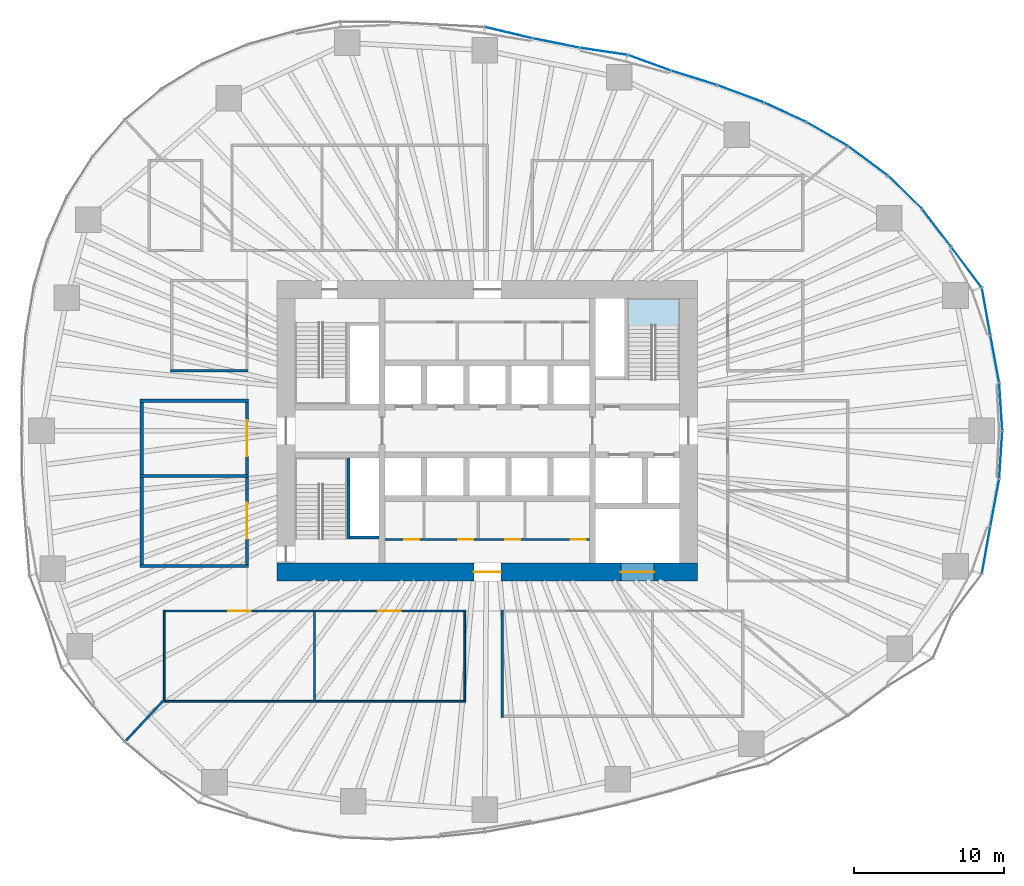
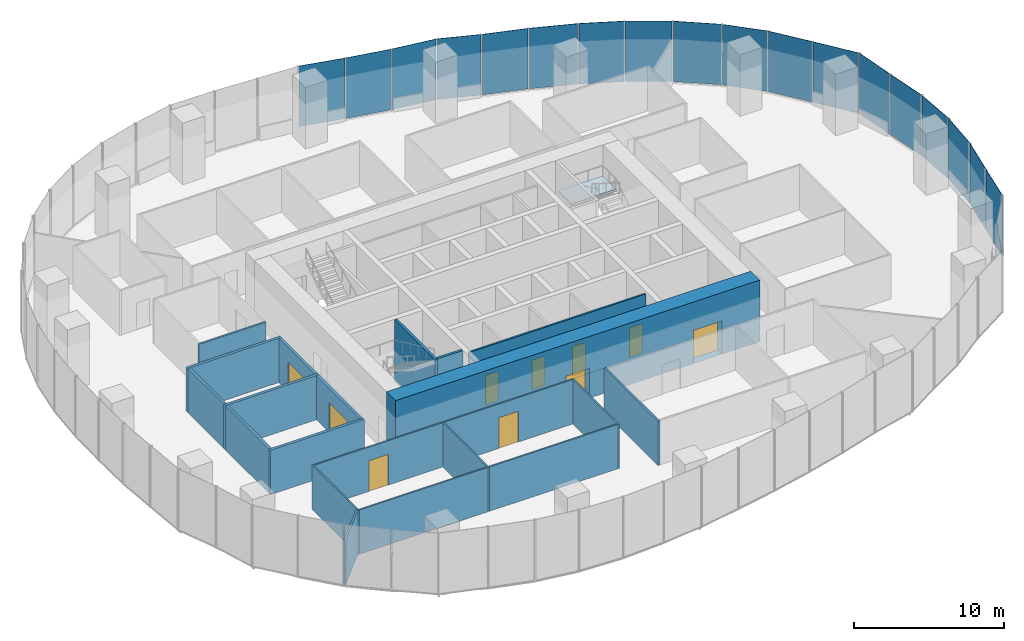
# One storey, part 9 of 20: 21 walls, 18 plates, 10 doors, 1 slab, 10 openings, 7 elements without a shape of their own.
"""IFC4 building model written with IfcOpenShell, lengths in metres."""

from ifc_helpers import new_model, si_unit, direction, frame, frame_2d, origin, origin_2d, place, context, subcontext, project, spatial, polyline, rectangle, outline, extrude, material, layer, layer_set, type_object, element, fill, aggregate, save


model = new_model("IFC4")

# Units and contexts
model_context = context("Model", 3, precision=1e-05, world=origin(), true_north=direction((0.0, 1.0)))
body_context = subcontext(model_context, "Body", "Model", "MODEL_VIEW")
ifc_project = project(units=[si_unit("LENGTHUNIT", "METRE"), si_unit("AREAUNIT", "SQUARE_METRE"), si_unit("VOLUMEUNIT", "CUBIC_METRE"), si_unit("PLANEANGLEUNIT", "RADIAN"), si_unit("MASSUNIT", "GRAM", prefix="KILO")], contexts=[model_context])

# Site, building, storey
site_placement = place(None, origin())
site = spatial("IfcSite", under=ifc_project, at=site_placement, CompositionType="ELEMENT")
building_placement = place(site_placement, origin())
building = spatial("IfcBuilding", under=site, at=building_placement, Name="Ghaith Harvest Tower", CompositionType="ELEMENT")
storey_placement = place(building_placement, frame((0.0, 0.0, 85.0)))
storey = spatial("IfcBuildingStorey", under=building, at=storey_placement, Name="L17", CompositionType="ELEMENT", Elevation=85.0)

# Curtain wall, plates
ifc_material_1 = material(Name="Black anodised aluminium and fritted glass", Category="aluminium")
curtain_wall_type = type_object("IfcCurtainWallType", Name="CW-F CURTAIN WALL", PredefinedType="NOTDEFINED", material=ifc_material_1)
curtain_wall_1_placement = place(storey_placement, origin())
curtain_wall_1 = element("IfcCurtainWall", 1, at=curtain_wall_1_placement, inside=storey, type_object=curtain_wall_type, Name="Curtain wall CW-F bay 01 L17", PredefinedType="NOTDEFINED")
ifc_material_2 = material(Name="Glass, high-transmission fritted double glazed unit", Category="glass")
ifc_layer_1 = layer(ifc_material_2, 0.028076171875)
ifc_layer_set_1 = layer_set([ifc_layer_1], Name="CW-F VISION PANEL")
plate_type = type_object("IfcPlateType", Name="CW-F VISION PANEL", PredefinedType="CURTAIN_PANEL", material=ifc_layer_set_1)
plate_1_placement = place(storey_placement, frame((34.181396484375, 1.602783203125, 0.080078125), z_axis=(0.0, 0.0, 1.0), x_axis=(-0.064445645786, 0.997921218704, 0.0)))
plate_1 = element("IfcPlate", 2, at=plate_1_placement, type_object=plate_type, Name="CW-F panel 1 bay 01 L17", PredefinedType="CURTAIN_PANEL", context=body_context, shape_type="SweptSolid", body=[
    extrude(rectangle(XDim=3.132080078125, YDim=0.028076171875, at=origin_2d()), origin(), (0.0, 0.0, 1.0), 4.919921875),
])
plate_2_placement = place(storey_placement, frame((33.78369140625, 4.78076171875, 0.080078125), z_axis=(0.0, 0.0, 1.0), x_axis=(-0.183569249502, 0.983006780565, 0.0)))
plate_2 = element("IfcPlate", 3, at=plate_2_placement, type_object=plate_type, Name="CW-F panel 2 bay 01 L17", PredefinedType="CURTAIN_PANEL", context=body_context, shape_type="SweptSolid", body=[
    extrude(rectangle(XDim=3.12548828125, YDim=0.028076171875, at=origin_2d()), origin(), (0.0, 0.0, 1.0), 4.919921875),
])
plate_3_placement = place(storey_placement, frame((33.20654296875, 7.93603515625, 0.080078125), z_axis=(0.0, 0.0, 1.0), x_axis=(-0.176319663586, 0.984332960046, 0.0)))
plate_3 = element("IfcPlate", 4, at=plate_3_placement, type_object=plate_type, Name="CW-F panel 3 bay 01 L17", PredefinedType="CURTAIN_PANEL", context=body_context, shape_type="SweptSolid", body=[
    extrude(rectangle(XDim=3.129638671875, YDim=0.028076171875, at=origin_2d()), origin(), (0.0, 0.0, 1.0), 4.919921875),
])
aggregate(curtain_wall_1, [plate_1, plate_2, plate_3])

curtain_wall_2_placement = place(storey_placement, origin())
curtain_wall_2 = element("IfcCurtainWall", 5, at=curtain_wall_2_placement, inside=storey, type_object=curtain_wall_type, Name="Curtain wall CW-F bay 02 L17", PredefinedType="NOTDEFINED")
plate_4_placement = place(storey_placement, frame((31.91015625, 10.865234375, 0.080078125), z_axis=(0.0, 0.0, 1.0), x_axis=(-0.600454091192, 0.799659230154, 0.0)))
plate_4 = element("IfcPlate", 6, at=plate_4_placement, type_object=plate_type, Name="CW-F panel 1 bay 02 L17", PredefinedType="CURTAIN_PANEL", context=body_context, shape_type="SweptSolid", body=[
    extrude(rectangle(XDim=3.295654296875, YDim=0.028076171875, at=origin_2d()), origin(), (0.0, 0.0, 1.0), 4.919921875),
])
plate_5_placement = place(storey_placement, frame((29.921875, 13.4892578125, 0.080078125), z_axis=(0.0, 0.0, 1.0), x_axis=(-0.607611877494, 0.794234100457, 0.0)))
plate_5 = element("IfcPlate", 7, at=plate_5_placement, type_object=plate_type, Name="CW-F panel 2 bay 02 L17", PredefinedType="CURTAIN_PANEL", context=body_context, shape_type="SweptSolid", body=[
    extrude(rectangle(XDim=3.128662109375, YDim=0.028076171875, at=origin_2d()), origin(), (0.0, 0.0, 1.0), 4.919921875),
])
plate_6_placement = place(storey_placement, frame((27.810546875, 15.869384765625, 0.080078125), z_axis=(0.0, 0.0, 1.0), x_axis=(-0.716691335472, 0.69739051446, 0.0)))
plate_6 = element("IfcPlate", 8, at=plate_6_placement, type_object=plate_type, Name="CW-F panel 3 bay 02 L17", PredefinedType="CURTAIN_PANEL", context=body_context, shape_type="SweptSolid", body=[
    extrude(rectangle(XDim=3.092041015625, YDim=0.028076171875, at=origin_2d()), origin(), (0.0, 0.0, 1.0), 4.919921875),
])
aggregate(curtain_wall_2, [plate_4, plate_5, plate_6])

curtain_wall_3_placement = place(storey_placement, origin())
curtain_wall_3 = element("IfcCurtainWall", 9, at=curtain_wall_3_placement, inside=storey, type_object=curtain_wall_type, Name="Curtain wall CW-F bay 03 L17", PredefinedType="NOTDEFINED")
plate_7_placement = place(storey_placement, frame((25.34619140625, 17.96142578125, 0.080078125), z_axis=(0.0, 0.0, 1.0), x_axis=(-0.802866788578, 0.596158468697, 0.0)))
plate_7 = element("IfcPlate", 10, at=plate_7_placement, type_object=plate_type, Name="CW-F panel 1 bay 03 L17", PredefinedType="CURTAIN_PANEL", context=body_context, shape_type="SweptSolid", body=[
    extrude(rectangle(XDim=3.2275390625, YDim=0.028076171875, at=origin_2d()), origin(), (0.0, 0.0, 1.0), 4.919921875),
])
plate_8_placement = place(storey_placement, frame((22.626953125, 19.750244140625, 0.080078125), z_axis=(0.0, 0.0, 1.0), x_axis=(-0.866159208358, 0.499768172033, 0.0)))
plate_8 = element("IfcPlate", 11, at=plate_8_placement, type_object=plate_type, Name="CW-F panel 2 bay 03 L17", PredefinedType="CURTAIN_PANEL", context=body_context, shape_type="SweptSolid", body=[
    extrude(rectangle(XDim=3.1328125, YDim=0.028076171875, at=origin_2d()), origin(), (0.0, 0.0, 1.0), 4.919921875),
])
plate_9_placement = place(storey_placement, frame((19.8291015625, 21.19970703125, 0.080078125), z_axis=(0.0, 0.0, 1.0), x_axis=(-0.908529586897, 0.417820523351, 0.0)))
plate_9 = element("IfcPlate", 12, at=plate_9_placement, type_object=plate_type, Name="CW-F panel 3 bay 03 L17", PredefinedType="CURTAIN_PANEL", context=body_context, shape_type="SweptSolid", body=[
    extrude(rectangle(XDim=3.01611328125, YDim=0.028076171875, at=origin_2d()), origin(), (0.0, 0.0, 1.0), 4.919921875),
])
aggregate(curtain_wall_3, [plate_7, plate_8, plate_9])

curtain_wall_4_placement = place(storey_placement, origin())
curtain_wall_4 = element("IfcCurtainWall", 13, at=curtain_wall_4_placement, inside=storey, type_object=curtain_wall_type, Name="Curtain wall CW-F bay 04 L17", PredefinedType="NOTDEFINED")
plate_10_placement = place(storey_placement, frame((16.85498046875, 22.431396484375, 0.080078125), z_axis=(0.0, 0.0, 1.0), x_axis=(-0.936926487964, 0.349526474178, 0.0)))
plate_10 = element("IfcPlate", 14, at=plate_10_placement, type_object=plate_type, Name="CW-F panel 1 bay 04 L17", PredefinedType="CURTAIN_PANEL", context=body_context, shape_type="SweptSolid", body=[
    extrude(rectangle(XDim=3.26611328125, YDim=0.028076171875, at=origin_2d()), origin(), (0.0, 0.0, 1.0), 4.919921875),
])
plate_11_placement = place(storey_placement, frame((13.760986328125, 23.490234375, 0.080078125), z_axis=(0.0, 0.0, 1.0), x_axis=(-0.954988265421, 0.296643578911, 0.0)))
plate_11 = element("IfcPlate", 15, at=plate_11_placement, type_object=plate_type, Name="CW-F panel 2 bay 04 L17", PredefinedType="CURTAIN_PANEL", context=body_context, shape_type="SweptSolid", body=[
    extrude(rectangle(XDim=3.1171875, YDim=0.028076171875, at=origin_2d()), origin(), (0.0, 0.0, 1.0), 4.919921875),
])
plate_12_placement = place(storey_placement, frame((10.793212890625, 24.490234375, 0.080078125), z_axis=(0.0, 0.0, 1.0), x_axis=(-0.939438435482, 0.342717705902, 0.0)))
plate_12 = element("IfcPlate", 16, at=plate_12_placement, type_object=plate_type, Name="CW-F panel 3 bay 04 L17", PredefinedType="CURTAIN_PANEL", context=body_context, shape_type="SweptSolid", body=[
    extrude(rectangle(XDim=2.98828125, YDim=0.028076171875, at=origin_2d()), origin(), (0.0, 0.0, 1.0), 4.919921875),
])
aggregate(curtain_wall_4, [plate_10, plate_11, plate_12])

curtain_wall_5_placement = place(storey_placement, origin())
curtain_wall_5 = element("IfcCurtainWall", 17, at=curtain_wall_5_placement, inside=storey, type_object=curtain_wall_type, Name="Curtain wall CW-F bay 05 L17", PredefinedType="NOTDEFINED")
plate_13_placement = place(storey_placement, frame((7.744384765625, 25.255615234375, 0.080078125), z_axis=(0.0, 0.0, 1.0), x_axis=(-0.989074249382, 0.147418211935, 0.0)))
plate_13 = element("IfcPlate", 18, at=plate_13_placement, type_object=plate_type, Name="CW-F panel 1 bay 05 L17", PredefinedType="CURTAIN_PANEL", context=body_context, shape_type="SweptSolid", body=[
    extrude(rectangle(XDim=3.17041015625, YDim=0.028076171875, at=origin_2d()), origin(), (0.0, 0.0, 1.0), 4.919921875),
])
plate_14_placement = place(storey_placement, frame((4.5732421875, 25.809326171875, 0.080078125), z_axis=(0.0, 0.0, 1.0), x_axis=(-0.980432348069, 0.196856320344, 0.0)))
plate_14 = element("IfcPlate", 19, at=plate_14_placement, type_object=plate_type, Name="CW-F panel 2 bay 05 L17", PredefinedType="CURTAIN_PANEL", context=body_context, shape_type="SweptSolid", body=[
    extrude(rectangle(XDim=3.1103515625, YDim=0.028076171875, at=origin_2d()), origin(), (0.0, 0.0, 1.0), 4.919921875),
])
plate_15_placement = place(storey_placement, frame((1.41259765625, 26.500244140625, 0.080078125), z_axis=(0.0, 0.0, 1.0), x_axis=(-0.97324595378, 0.229765779545, 0.0)))
plate_15 = element("IfcPlate", 20, at=plate_15_placement, type_object=plate_type, Name="CW-F panel 3 bay 05 L17", PredefinedType="CURTAIN_PANEL", context=body_context, shape_type="SweptSolid", body=[
    extrude(rectangle(XDim=3.200927734375, YDim=0.028076171875, at=origin_2d()), origin(), (0.0, 0.0, 1.0), 4.919921875),
])
aggregate(curtain_wall_5, [plate_13, plate_14, plate_15])

curtain_wall_6_placement = place(storey_placement, origin())
curtain_wall_6 = element("IfcCurtainWall", 21, at=curtain_wall_6_placement, inside=storey, type_object=curtain_wall_type, Name="Curtain wall CW-F bay 20 L17", PredefinedType="NOTDEFINED")
plate_16_placement = place(storey_placement, frame((33.20654296875, -7.93603515625, 0.080078125), z_axis=(0.0, 0.0, 1.0), x_axis=(0.176319663878, 0.984332959994, 0.0)))
plate_16 = element("IfcPlate", 22, at=plate_16_placement, type_object=plate_type, Name="CW-F panel 1 bay 20 L17", PredefinedType="CURTAIN_PANEL", context=body_context, shape_type="SweptSolid", body=[
    extrude(rectangle(XDim=3.129638671875, YDim=0.028076171875, at=origin_2d()), origin(), (0.0, 0.0, 1.0), 4.919921875),
])
plate_17_placement = place(storey_placement, frame((33.78369140625, -4.78076171875, 0.080078125), z_axis=(0.0, 0.0, 1.0), x_axis=(0.183569249777, 0.983006780514, 0.0)))
plate_17 = element("IfcPlate", 23, at=plate_17_placement, type_object=plate_type, Name="CW-F panel 2 bay 20 L17", PredefinedType="CURTAIN_PANEL", context=body_context, shape_type="SweptSolid", body=[
    extrude(rectangle(XDim=3.12548828125, YDim=0.028076171875, at=origin_2d()), origin(), (0.0, 0.0, 1.0), 4.919921875),
])
plate_18_placement = place(storey_placement, frame((34.181396484375, -1.602783203125, 0.080078125), z_axis=(0.0, 0.0, 1.0), x_axis=(0.064445645891, 0.997921218697, 0.0)))
plate_18 = element("IfcPlate", 24, at=plate_18_placement, type_object=plate_type, Name="CW-F panel 3 bay 20 L17", PredefinedType="CURTAIN_PANEL", context=body_context, shape_type="SweptSolid", body=[
    extrude(rectangle(XDim=3.132080078125, YDim=0.028076171875, at=origin_2d()), origin(), (0.0, 0.0, 1.0), 4.919921875),
])
aggregate(curtain_wall_6, [plate_16, plate_17, plate_18])

# Stair, slab
ifc_material_3 = material(Name="Concrete C40/50, precast", Category="concrete")
stair_type = type_object("IfcStairType", Name="CORE STAIR 28R", PredefinedType="HALF_TURN_STAIR", material=ifc_material_3)
stair_placement = place(storey_placement, origin())
stair = element("IfcStair", 25, at=stair_placement, inside=storey, type_object=stair_type, Name="Stair ST2 L17", PredefinedType="HALF_TURN_STAIR")
ifc_material_4 = material(Name="Concrete C40/50, precast", Category="concrete")
ifc_layer_2 = layer(ifc_material_4, 0.179931640625)
ifc_layer_set_2 = layer_set([ifc_layer_2], Name="STAIR LANDING 180")
slab_type = type_object("IfcSlabType", Name="STAIR LANDING 180", PredefinedType="LANDING", material=ifc_layer_set_2)
slab_placement = place(storey_placement, frame((0.0, 0.0, 2.320068359375)))
slab = element("IfcSlab", 26, at=slab_placement, type_object=slab_type, Name="ST2 landing 1", PredefinedType="LANDING", context=body_context, shape_type="SweptSolid", body=[
    extrude(outline(polyline([(12.800048828125, 7.02001953125), (12.800048828125, 8.800048828125), (9.35009765625, 8.800048828125), (9.35009765625, 7.02001953125), (12.800048828125, 7.02001953125)])), origin(), (0.0, 0.0, 1.0), 0.179931640625),
])
aggregate(stair, [slab])

# Walls
ifc_material_5 = material(Name="Concrete blockwork, 1-hour", Category="masonry")
ifc_layer_3 = layer(ifc_material_5, 0.215087890625)
ifc_layer_set_3 = layer_set([ifc_layer_3], Name="BLOCKWORK WALL 215")
wall_type_1 = type_object("IfcWallType", Name="BLOCKWORK WALL 215", PredefinedType="PARTITIONING", material=ifc_layer_set_3)
for number, where, z_axis, x_axis, name in (
    (27, (-15.892578125, -9.0, 0.0), (0.0, 0.0, 1.0), (-1.0, 0.0, 0.0), "Partition L17 row W6 cross wall 1"),
    (28, (-15.892578125, -3.0, 0.0), (0.0, 0.0, 1.0), (-1.0, 0.0, 0.0), "Partition L17 row W6 cross wall 2"),
    (29, (-15.892578125, 2.0, 0.0), (0.0, 0.0, 1.0), (-1.0, 0.0, 0.0), "Partition L17 row W6 cross wall 3"),
):
    element("IfcWall", number, at=place(storey_placement, frame(where, z_axis=z_axis, x_axis=x_axis)), inside=storey, type_object=wall_type_1, Name=name, PredefinedType="PARTITIONING", context=body_context, shape_type="SweptSolid", body=[
        extrude(rectangle(XDim=7.21484375, YDim=0.215087890625, at=frame_2d((3.607421875, 0.0))), origin(), (0.0, 0.0, 1.0), 3.60009765625),
    ])

# Wall, opening, door
wall_1_placement = place(storey_placement, frame((-16.0, -8.892578125, 0.0), z_axis=(0.0, 0.0, 1.0), x_axis=(0.0, 1.0, 0.0)))
wall_1 = element("IfcWall", 30, at=wall_1_placement, inside=storey, type_object=wall_type_1, Name="Partition L17-11", PredefinedType="PARTITIONING", context=body_context, shape_type="SweptSolid", body=[
    extrude(rectangle(XDim=5.78515625, YDim=0.215087890625, at=frame_2d((2.892578125, 0.0))), origin(), (0.0, 0.0, 1.0), 3.60009765625),
])
opening_1_placement = place(wall_1_placement, frame((1.6923828125, 0.0, 0.0)))
opening_1 = element("IfcOpeningElement", 31, at=opening_1_placement, cuts=wall_1, Name="Opening 17-035", PredefinedType="OPENING", context=body_context, shape_type="SweptSolid", body=[
    extrude(rectangle(XDim=2.39990234375, YDim=2.39990234375, at=frame_2d((1.199951171875, 1.199951171875))), frame((0.0, 0.11767578125, 0.0), z_axis=(0.0, -1.0, 0.0), x_axis=(1.0, 0.0, 0.0)), (0.0, 0.0, 1.0), 0.235107421875),
])
ifc_material_6 = material(Name="Timber door", Category="wood")
door_type_1 = type_object("IfcDoorType", Name="D10 PLANT PAIR 2400x2400", OperationType="DOUBLE_DOOR_SINGLE_SWING", PredefinedType="DOOR", material=ifc_material_6)
door_1_placement = place(opening_1_placement, origin())
door_1 = element("IfcDoor", 32, at=door_1_placement, inside=storey, type_object=door_type_1, Name="Nutrient tank room door", OperationType="DOUBLE_DOOR_SINGLE_SWING", OverallHeight=2.39990234375, OverallWidth=2.39990234375, PredefinedType="DOOR", context=body_context, shape_type="SweptSolid", body=[
    extrude(rectangle(XDim=2.39990234375, YDim=2.39990234375, at=frame_2d((1.199951171875, 1.199951171875))), frame((0.0, 0.02490234375, 0.0), z_axis=(0.0, -1.0, 0.0), x_axis=(1.0, 0.0, 0.0)), (0.0, 0.0, 1.0), 0.050048828125),
])
fill(opening_1, door_1)

# Wall
wall_2_placement = place(storey_placement, frame((-23.0, -8.892578125, 0.0), z_axis=(0.0, 0.0, 1.0), x_axis=(0.0, 1.0, 0.0)))
element("IfcWall", 33, at=wall_2_placement, inside=storey, type_object=wall_type_1, Name="Partition L17-11", PredefinedType="PARTITIONING", context=body_context, shape_type="SweptSolid", body=[
    extrude(rectangle(XDim=5.78515625, YDim=0.215087890625, at=frame_2d((2.892578125, 0.0))), origin(), (0.0, 0.0, 1.0), 3.60009765625),
])

# Wall, opening, door
wall_3_placement = place(storey_placement, frame((-16.0, -2.892578125, 0.0), z_axis=(0.0, 0.0, 1.0), x_axis=(0.0, 1.0, 0.0)))
wall_3 = element("IfcWall", 34, at=wall_3_placement, inside=storey, type_object=wall_type_1, Name="Partition L17-12", PredefinedType="PARTITIONING", context=body_context, shape_type="SweptSolid", body=[
    extrude(rectangle(XDim=4.78515625, YDim=0.215087890625, at=frame_2d((2.392578125, 0.0))), origin(), (0.0, 0.0, 1.0), 3.60009765625),
])
opening_2_placement = place(wall_3_placement, frame((1.1923828125, 0.0, 0.0)))
opening_2 = element("IfcOpeningElement", 35, at=opening_2_placement, cuts=wall_3, Name="Opening 17-036", PredefinedType="OPENING", context=body_context, shape_type="SweptSolid", body=[
    extrude(rectangle(XDim=2.39990234375, YDim=2.39990234375, at=frame_2d((1.199951171875, 1.199951171875))), frame((0.0, 0.11767578125, 0.0), z_axis=(0.0, -1.0, 0.0), x_axis=(1.0, 0.0, 0.0)), (0.0, 0.0, 1.0), 0.235107421875),
])
door_2_placement = place(opening_2_placement, origin())
door_2 = element("IfcDoor", 36, at=door_2_placement, inside=storey, type_object=door_type_1, Name="Pump room door", OperationType="DOUBLE_DOOR_SINGLE_SWING", OverallHeight=2.39990234375, OverallWidth=2.39990234375, PredefinedType="DOOR", context=body_context, shape_type="SweptSolid", body=[
    extrude(rectangle(XDim=2.39990234375, YDim=2.39990234375, at=frame_2d((1.199951171875, 1.199951171875))), frame((0.0, 0.02490234375, 0.0), z_axis=(0.0, -1.0, 0.0), x_axis=(1.0, 0.0, 0.0)), (0.0, 0.0, 1.0), 0.050048828125),
])
fill(opening_2, door_2)

# Wall
wall_4_placement = place(storey_placement, frame((-23.0, -2.892578125, 0.0), z_axis=(0.0, 0.0, 1.0), x_axis=(0.0, 1.0, 0.0)))
element("IfcWall", 37, at=wall_4_placement, inside=storey, type_object=wall_type_1, Name="Partition L17-12", PredefinedType="PARTITIONING", context=body_context, shape_type="SweptSolid", body=[
    extrude(rectangle(XDim=4.78515625, YDim=0.215087890625, at=frame_2d((2.392578125, 0.0))), origin(), (0.0, 0.0, 1.0), 3.60009765625),
])

# Wall, openings, doors
ifc_material_7 = material(Name="Concrete blockwork, fair-faced", Category="masonry")
ifc_layer_4 = layer(ifc_material_7, 0.139892578125)
ifc_layer_set_4 = layer_set([ifc_layer_4], Name="CORE PARTITION 140")
wall_type_2 = type_object("IfcWallType", Name="CORE PARTITION 140", PredefinedType="PARTITIONING", material=ifc_layer_set_4)
wall_5_placement = place(storey_placement, frame((-6.800048828125, -7.22998046875, 0.0), z_axis=(0.0, 0.0, 1.0), x_axis=(1.0, 0.0, 0.0)))
wall_5 = element("IfcWall", 38, at=wall_5_placement, inside=storey, type_object=wall_type_2, Name="Core partition L17", PredefinedType="PARTITIONING", context=body_context, shape_type="SweptSolid", body=[
    extrude(rectangle(XDim=13.60009765625, YDim=0.139892578125, at=frame_2d((6.800048828125, 0.0))), origin(), (0.0, 0.0, 1.0), 4.75),
])
opening_3_placement = place(wall_5_placement, frame((1.280029296875, 0.0, 0.0)))
opening_3 = element("IfcOpeningElement", 39, at=opening_3_placement, cuts=wall_5, Name="Opening 17-012", PredefinedType="OPENING", context=body_context, shape_type="SweptSolid", body=[
    extrude(rectangle(XDim=1.0, YDim=2.39990234375, at=frame_2d((0.5, 1.199951171875))), frame((0.0, 0.080078125, 0.0), z_axis=(0.0, -1.0, 0.0), x_axis=(1.0, 0.0, 0.0)), (0.0, 0.0, 1.0), 0.159912109375),
])
opening_4_placement = place(wall_5_placement, frame((4.8798828125, 0.0, 0.0)))
opening_4 = element("IfcOpeningElement", 40, at=opening_4_placement, cuts=wall_5, Name="Opening 17-013", PredefinedType="OPENING", context=body_context, shape_type="SweptSolid", body=[
    extrude(rectangle(XDim=1.0, YDim=2.39990234375, at=frame_2d((0.5, 1.199951171875))), frame((0.0, 0.080078125, 0.0), z_axis=(0.0, -1.0, 0.0), x_axis=(1.0, 0.0, 0.0)), (0.0, 0.0, 1.0), 0.159912109375),
])
opening_5_placement = place(wall_5_placement, frame((7.97998046875, 0.0, 0.0)))
opening_5 = element("IfcOpeningElement", 41, at=opening_5_placement, cuts=wall_5, Name="Opening 17-014", PredefinedType="OPENING", context=body_context, shape_type="SweptSolid", body=[
    extrude(rectangle(XDim=1.0, YDim=2.39990234375, at=frame_2d((0.5, 1.199951171875))), frame((0.0, 0.080078125, 0.0), z_axis=(0.0, -1.0, 0.0), x_axis=(1.0, 0.0, 0.0)), (0.0, 0.0, 1.0), 0.159912109375),
])
opening_6_placement = place(wall_5_placement, frame((12.35009765625, 0.0, 0.0)))
opening_6 = element("IfcOpeningElement", 42, at=opening_6_placement, cuts=wall_5, Name="Opening 17-015", PredefinedType="OPENING", context=body_context, shape_type="SweptSolid", body=[
    extrude(rectangle(XDim=1.0, YDim=2.39990234375, at=frame_2d((0.5, 1.199951171875))), frame((0.0, 0.080078125, 0.0), z_axis=(0.0, -1.0, 0.0), x_axis=(1.0, 0.0, 0.0)), (0.0, 0.0, 1.0), 0.159912109375),
])
ifc_material_8 = material(Name="Steel fire door", Category="steel")
door_type_2 = type_object("IfcDoorType", Name="D3 FD90 1000x2400", OperationType="SINGLE_SWING_LEFT", PredefinedType="DOOR", material=ifc_material_8)
door_3_placement = place(opening_3_placement, origin())
door_3 = element("IfcDoor", 43, at=door_3_placement, inside=storey, type_object=door_type_2, Name="Security room door", OperationType="SINGLE_SWING_LEFT", OverallHeight=2.39990234375, OverallWidth=1.0, PredefinedType="DOOR", context=body_context, shape_type="SweptSolid", body=[
    extrude(rectangle(XDim=1.0, YDim=2.39990234375, at=frame_2d((0.5, 1.199951171875))), frame((0.0, 0.02490234375, 0.0), z_axis=(0.0, -1.0, 0.0), x_axis=(1.0, 0.0, 0.0)), (0.0, 0.0, 1.0), 0.050048828125),
])
fill(opening_3, door_3)
door_4_placement = place(opening_4_placement, origin())
door_4 = element("IfcDoor", 44, at=door_4_placement, inside=storey, type_object=door_type_2, Name="Electrical room door", OperationType="SINGLE_SWING_LEFT", OverallHeight=2.39990234375, OverallWidth=1.0, PredefinedType="DOOR", context=body_context, shape_type="SweptSolid", body=[
    extrude(rectangle(XDim=1.0, YDim=2.39990234375, at=frame_2d((0.5, 1.199951171875))), frame((0.0, 0.02490234375, 0.0), z_axis=(0.0, -1.0, 0.0), x_axis=(1.0, 0.0, 0.0)), (0.0, 0.0, 1.0), 0.050048828125),
])
fill(opening_4, door_4)
door_5_placement = place(opening_5_placement, origin())
door_5 = element("IfcDoor", 45, at=door_5_placement, inside=storey, type_object=door_type_2, Name="Communications equipment room door", OperationType="SINGLE_SWING_RIGHT", OverallHeight=2.39990234375, OverallWidth=1.0, PredefinedType="DOOR", context=body_context, shape_type="SweptSolid", body=[
    extrude(rectangle(XDim=1.0, YDim=2.39990234375, at=frame_2d((0.5, 1.199951171875))), frame((0.0, 0.02490234375, 0.0), z_axis=(0.0, -1.0, 0.0), x_axis=(1.0, 0.0, 0.0)), (0.0, 0.0, 1.0), 0.050048828125),
])
fill(opening_5, door_5)
door_6_placement = place(opening_6_placement, origin())
door_6 = element("IfcDoor", 46, at=door_6_placement, inside=storey, type_object=door_type_2, Name="Riser room door", OperationType="SINGLE_SWING_RIGHT", OverallHeight=2.39990234375, OverallWidth=1.0, PredefinedType="DOOR", context=body_context, shape_type="SweptSolid", body=[
    extrude(rectangle(XDim=1.0, YDim=2.39990234375, at=frame_2d((0.5, 1.199951171875))), frame((0.0, 0.02490234375, 0.0), z_axis=(0.0, -1.0, 0.0), x_axis=(1.0, 0.0, 0.0)), (0.0, 0.0, 1.0), 0.050048828125),
])
fill(opening_6, door_6)

ifc_material_9 = material(Name="Concrete C70/85", Category="concrete")
ifc_layer_5 = layer(ifc_material_9, 1.199951171875)
ifc_layer_set_5 = layer_set([ifc_layer_5], Name="CORE WALL CW1200")
wall_type_3 = type_object("IfcWallType", Name="CORE WALL CW1200", PredefinedType="SHEAR", material=ifc_layer_set_5)
wall_6_placement = place(storey_placement, frame((-14.0, -9.39990234375, 0.0), z_axis=(0.0, 0.0, 1.0), x_axis=(1.0, 0.0, 0.0)))
wall_6 = element("IfcWall", 47, at=wall_6_placement, inside=storey, type_object=wall_type_3, Name="Core wall S L17", PredefinedType="SHEAR", context=body_context, shape_type="SweptSolid", body=[
    extrude(rectangle(XDim=28.0, YDim=1.199951171875, at=frame_2d((14.0, 0.0))), origin(), (0.0, 0.0, 1.0), 5.0),
])
opening_7_placement = place(wall_6_placement, frame((13.10009765625, 0.0, 0.0)))
opening_7 = element("IfcOpeningElement", 48, at=opening_7_placement, cuts=wall_6, Name="Opening 17-017", PredefinedType="OPENING", context=body_context, shape_type="SweptSolid", body=[
    extrude(rectangle(XDim=1.800048828125, YDim=2.39990234375, at=frame_2d((0.89990234375, 1.199951171875))), frame((0.0, 0.60986328125, 0.0), z_axis=(0.0, -1.0, 0.0), x_axis=(1.0, 0.0, 0.0)), (0.0, 0.0, 1.0), 1.219970703125),
])
opening_8_placement = place(wall_6_placement, frame((22.89990234375, 0.0, 0.0)))
opening_8 = element("IfcOpeningElement", 49, at=opening_8_placement, cuts=wall_6, Name="Opening 17-024", PredefinedType="OPENING", context=body_context, shape_type="SweptSolid", body=[
    extrude(rectangle(XDim=2.199951171875, YDim=2.699951171875, at=frame_2d((1.10009765625, 1.35009765625))), frame((0.0, 0.60986328125, 0.0), z_axis=(0.0, -1.0, 0.0), x_axis=(1.0, 0.0, 0.0)), (0.0, 0.0, 1.0), 1.219970703125),
])
ifc_material_10 = material(Name="Steel fire door", Category="steel")
door_type_3 = type_object("IfcDoorType", Name="D4 FD90 PAIR 1800x2400", OperationType="DOUBLE_DOOR_SINGLE_SWING", PredefinedType="DOOR", material=ifc_material_10)
door_7_placement = place(opening_7_placement, origin())
door_7 = element("IfcDoor", 50, at=door_7_placement, inside=storey, type_object=door_type_3, Name="Core service corridor doors", OperationType="DOUBLE_DOOR_SINGLE_SWING", OverallHeight=2.39990234375, OverallWidth=1.800048828125, PredefinedType="DOOR", context=body_context, shape_type="SweptSolid", body=[
    extrude(rectangle(XDim=1.800048828125, YDim=2.39990234375, at=frame_2d((0.89990234375, 1.199951171875))), frame((0.0, 0.02490234375, 0.0), z_axis=(0.0, -1.0, 0.0), x_axis=(1.0, 0.0, 0.0)), (0.0, 0.0, 1.0), 0.050048828125),
])
fill(opening_7, door_7)
ifc_material_11 = material(Name="Steel fire door", Category="steel")
door_type_4 = type_object("IfcDoorType", Name="LD3 LANDING 2200x2700", OperationType="DOUBLE_DOOR_SLIDING", PredefinedType="DOOR", material=ifc_material_11)
door_8_placement = place(opening_8_placement, origin())
door_8 = element("IfcDoor", 51, at=door_8_placement, inside=storey, type_object=door_type_4, Name="Landing door, goods lift GL1", OperationType="DOUBLE_DOOR_SLIDING", OverallHeight=2.699951171875, OverallWidth=2.199951171875, PredefinedType="DOOR", context=body_context, shape_type="SweptSolid", body=[
    extrude(rectangle(XDim=2.199951171875, YDim=2.699951171875, at=frame_2d((1.10009765625, 1.35009765625))), frame((0.0, 0.02490234375, 0.0), z_axis=(0.0, -1.0, 0.0), x_axis=(1.0, 0.0, 0.0)), (0.0, 0.0, 1.0), 0.050048828125),
])
fill(opening_8, door_8)

# Walls
ifc_material_12 = material(Name="Insulated food-grade panel", Category="steel")
ifc_layer_6 = layer(ifc_material_12, 0.1201171875)
ifc_layer_set_6 = layer_set([ifc_layer_6], Name="INSULATED PANEL WALL 120")
wall_type_4 = type_object("IfcWallType", Name="INSULATED PANEL WALL 120", PredefinedType="PARTITIONING", material=ifc_layer_set_6)
for number, where, z_axis, x_axis, name in (
    (52, (-21.5, -11.93994140625, 0.0), (0.0, 0.0, 1.0), (0.0, -1.0, 0.0), "Partition L17 row S1 cross wall 1"),
    (53, (-11.5, -11.93994140625, 0.0), (0.0, 0.0, 1.0), (0.0, -1.0, 0.0), "Partition L17 row S1 cross wall 2"),
    (54, (-1.5, -11.93994140625, 0.0), (0.0, 0.0, 1.0), (0.0, -1.0, 0.0), "Partition L17 row S1 cross wall 3"),
):
    element("IfcWall", number, at=place(storey_placement, frame(where, z_axis=z_axis, x_axis=x_axis)), inside=storey, type_object=wall_type_4, Name=name, PredefinedType="PARTITIONING", context=body_context, shape_type="SweptSolid", body=[
        extrude(rectangle(XDim=6.1201171875, YDim=0.1201171875, at=frame_2d((3.06005859375, 0.0))), origin(), (0.0, 0.0, 1.0), 3.60009765625),
    ])

# Wall, opening, door
wall_7_placement = place(storey_placement, frame((-21.43994140625, -12.0, 0.0), z_axis=(0.0, 0.0, 1.0), x_axis=(1.0, 0.0, 0.0)))
wall_7 = element("IfcWall", 55, at=wall_7_placement, inside=storey, type_object=wall_type_4, Name="Partition L17-01", PredefinedType="PARTITIONING", context=body_context, shape_type="SweptSolid", body=[
    extrude(rectangle(XDim=9.8798828125, YDim=0.1201171875, at=frame_2d((4.93994140625, 0.0))), origin(), (0.0, 0.0, 1.0), 3.60009765625),
])
opening_9_placement = place(wall_7_placement, frame((4.18994140625, 0.0, 0.0)))
opening_9 = element("IfcOpeningElement", 56, at=opening_9_placement, cuts=wall_7, Name="Opening 17-025", PredefinedType="OPENING", context=body_context, shape_type="SweptSolid", body=[
    extrude(rectangle(XDim=1.5, YDim=2.5, at=frame_2d((0.75, 1.25))), frame((0.0, 0.070068359375, 0.0), z_axis=(0.0, -1.0, 0.0), x_axis=(1.0, 0.0, 0.0)), (0.0, 0.0, 1.0), 0.14013671875),
])
ifc_material_13 = material(Name="Insulated steel sliding door", Category="steel")
door_type_5 = type_object("IfcDoorType", Name="D13 COLD STORE SLIDING 1500x2500", OperationType="SLIDING_TO_LEFT", PredefinedType="DOOR", material=ifc_material_13)
door_9_placement = place(opening_9_placement, origin())
door_9 = element("IfcDoor", 57, at=door_9_placement, inside=storey, type_object=door_type_5, Name="Strawberry growing room door", OperationType="SLIDING_TO_LEFT", OverallHeight=2.5, OverallWidth=1.5, PredefinedType="DOOR", context=body_context, shape_type="SweptSolid", body=[
    extrude(rectangle(XDim=1.5, YDim=2.5, at=frame_2d((0.75, 1.25))), frame((0.0, 0.02490234375, 0.0), z_axis=(0.0, -1.0, 0.0), x_axis=(1.0, 0.0, 0.0)), (0.0, 0.0, 1.0), 0.050048828125),
])
fill(opening_9, door_9)

# Wall
wall_8_placement = place(storey_placement, frame((-21.43994140625, -18.0, 0.0), z_axis=(0.0, 0.0, 1.0), x_axis=(1.0, 0.0, 0.0)))
element("IfcWall", 58, at=wall_8_placement, inside=storey, type_object=wall_type_4, Name="Partition L17-01", PredefinedType="PARTITIONING", context=body_context, shape_type="SweptSolid", body=[
    extrude(rectangle(XDim=9.8798828125, YDim=0.1201171875, at=frame_2d((4.93994140625, 0.0))), origin(), (0.0, 0.0, 1.0), 3.60009765625),
])

# Wall, opening, door
wall_9_placement = place(storey_placement, frame((-11.43994140625, -12.0, 0.0), z_axis=(0.0, 0.0, 1.0), x_axis=(1.0, 0.0, 0.0)))
wall_9 = element("IfcWall", 59, at=wall_9_placement, inside=storey, type_object=wall_type_4, Name="Partition L17-02", PredefinedType="PARTITIONING", context=body_context, shape_type="SweptSolid", body=[
    extrude(rectangle(XDim=9.8798828125, YDim=0.1201171875, at=frame_2d((4.93994140625, 0.0))), origin(), (0.0, 0.0, 1.0), 3.60009765625),
])
opening_10_placement = place(wall_9_placement, frame((4.18994140625, 0.0, 0.0)))
opening_10 = element("IfcOpeningElement", 60, at=opening_10_placement, cuts=wall_9, Name="Opening 17-026", PredefinedType="OPENING", context=body_context, shape_type="SweptSolid", body=[
    extrude(rectangle(XDim=1.5, YDim=2.5, at=frame_2d((0.75, 1.25))), frame((0.0, 0.070068359375, 0.0), z_axis=(0.0, -1.0, 0.0), x_axis=(1.0, 0.0, 0.0)), (0.0, 0.0, 1.0), 0.14013671875),
])
door_10_placement = place(opening_10_placement, origin())
door_10 = element("IfcDoor", 61, at=door_10_placement, inside=storey, type_object=door_type_5, Name="Strawberry growing room door", OperationType="SLIDING_TO_LEFT", OverallHeight=2.5, OverallWidth=1.5, PredefinedType="DOOR", context=body_context, shape_type="SweptSolid", body=[
    extrude(rectangle(XDim=1.5, YDim=2.5, at=frame_2d((0.75, 1.25))), frame((0.0, 0.02490234375, 0.0), z_axis=(0.0, -1.0, 0.0), x_axis=(1.0, 0.0, 0.0)), (0.0, 0.0, 1.0), 0.050048828125),
])
fill(opening_10, door_10)

# Walls
wall_10_placement = place(storey_placement, frame((-11.43994140625, -18.0, 0.0), z_axis=(0.0, 0.0, 1.0), x_axis=(1.0, 0.0, 0.0)))
element("IfcWall", 62, at=wall_10_placement, inside=storey, type_object=wall_type_4, Name="Partition L17-02", PredefinedType="PARTITIONING", context=body_context, shape_type="SweptSolid", body=[
    extrude(rectangle(XDim=9.8798828125, YDim=0.1201171875, at=frame_2d((4.93994140625, 0.0))), origin(), (0.0, 0.0, 1.0), 3.60009765625),
])
ifc_material_14 = material(Name="Gypsum board on steel studs", Category="steel")
ifc_layer_7 = layer(ifc_material_14, 0.14990234375)
ifc_layer_set_7 = layer_set([ifc_layer_7], Name="PARTITION 150")
wall_type_5 = type_object("IfcWallType", Name="PARTITION 150", PredefinedType="PARTITIONING", material=ifc_layer_set_7)
wall_11_placement = place(storey_placement, frame((1.0, -11.925048828125, 0.0), z_axis=(0.0, 0.0, 1.0), x_axis=(0.0, -1.0, 0.0)))
element("IfcWall", 63, at=wall_11_placement, inside=storey, type_object=wall_type_5, Name="Partition L17 row S2 cross wall 1", PredefinedType="PARTITIONING", context=body_context, shape_type="SweptSolid", body=[
    extrude(rectangle(XDim=7.14990234375, YDim=0.14990234375, at=frame_2d((3.574951171875, 0.0))), origin(), (0.0, 0.0, 1.0), 3.60009765625),
])
wall_12_placement = place(storey_placement, frame((-15.925048828125, 4.0, 0.0), z_axis=(0.0, 0.0, 1.0), x_axis=(-1.0, 0.0, 0.0)))
element("IfcWall", 64, at=wall_12_placement, inside=storey, type_object=wall_type_5, Name="Partition L17 row W10 cross wall 1", PredefinedType="PARTITIONING", context=body_context, shape_type="SweptSolid", body=[
    extrude(rectangle(XDim=5.14990234375, YDim=0.14990234375, at=frame_2d((2.574951171875, 0.0))), origin(), (0.0, 0.0, 1.0), 3.60009765625),
])
wall_13_placement = place(storey_placement, frame((-21.52001953125, -17.910888671875, 0.0), z_axis=(0.0, 0.0, 1.0), x_axis=(-0.682507100249, -0.730878962694, 0.0)))
element("IfcWall", 65, at=wall_13_placement, inside=storey, type_object=wall_type_5, Name="Partition L17 zone division", PredefinedType="PARTITIONING", context=body_context, shape_type="SweptSolid", body=[
    extrude(rectangle(XDim=3.684326171875, YDim=0.14990234375, at=frame_2d((1.84228515625, 0.0))), origin(), (0.0, 0.0, 1.0), 3.60009765625),
])
ifc_material_15 = material(Name="Concrete C40/50", Category="concrete")
ifc_layer_8 = layer(ifc_material_15, 0.199951171875)
ifc_layer_set_8 = layer_set([ifc_layer_8], Name="STAIR SPINE WALL RC200")
wall_type_6 = type_object("IfcWallType", Name="STAIR SPINE WALL RC200", PredefinedType="SOLIDWALL", material=ifc_layer_set_8)
wall_14_placement = place(storey_placement, frame((-9.25, -7.199951171875, 0.0), z_axis=(0.0, 0.0, 1.0), x_axis=(0.0, 1.0, 0.0)))
element("IfcWall", 66, at=wall_14_placement, inside=storey, type_object=wall_type_6, Name="Stair ST3 spine wall L17", PredefinedType="SOLIDWALL", context=body_context, shape_type="SweptSolid", body=[
    extrude(rectangle(XDim=5.39990234375, YDim=0.199951171875, at=frame_2d((2.699951171875, 0.0))), origin(), (0.0, 0.0, 1.0), 5.0),
])
wall_15_placement = place(storey_placement, frame((-9.14990234375, -7.10009765625, 0.0), z_axis=(0.0, 0.0, 1.0), x_axis=(1.0, 0.0, 0.0)))
element("IfcWall", 67, at=wall_15_placement, inside=storey, type_object=wall_type_6, Name="Stair ST3 spine wall return L17", PredefinedType="SOLIDWALL", context=body_context, shape_type="SweptSolid", body=[
    extrude(rectangle(XDim=1.949951171875, YDim=0.199951171875, at=frame_2d((0.97509765625, 0.0))), origin(), (0.0, 0.0, 1.0), 5.0),
])

save(model, "model.ifc")
